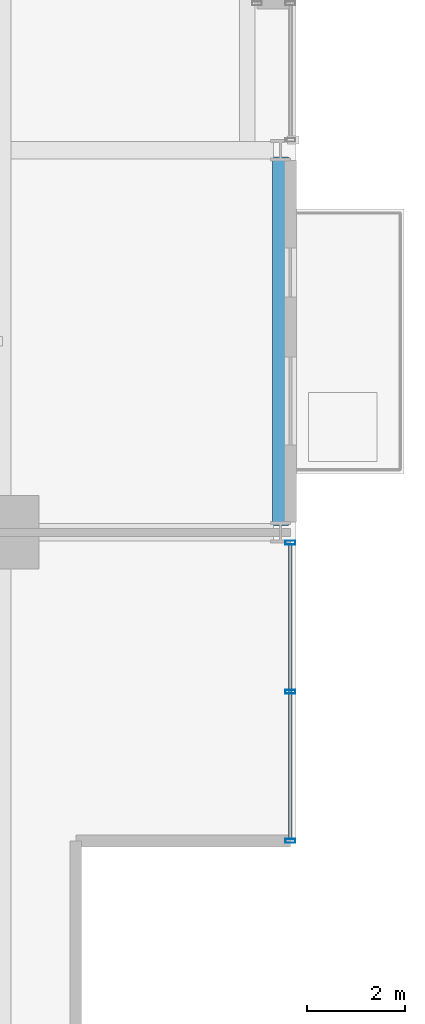
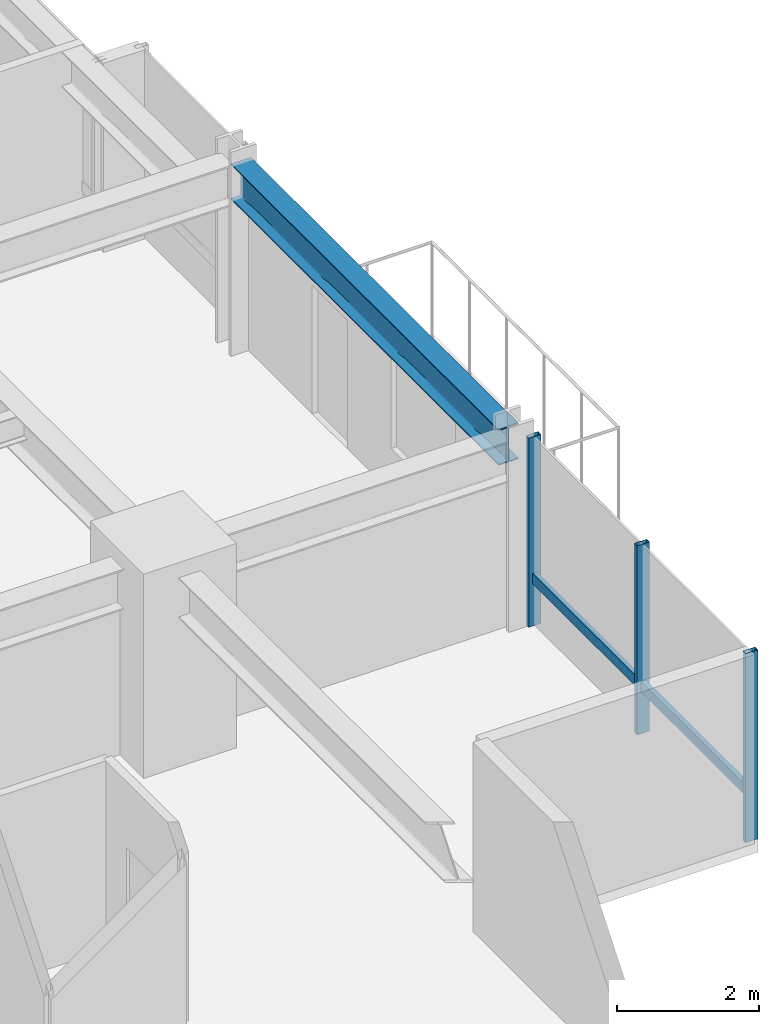
# One storey, part 13 of 34: 4 members, 1 beam, 1 element without a shape of its own.
"""IFC4 building model written with IfcOpenShell, lengths in metres."""

from ifc_helpers import new_model, si_unit, direction, frame, origin, origin_2d, place, context, subcontext, project, spatial, hollow_rectangle, i_section, extrude, material, layer, layer_set, material_profile, profile_set, type_object, element, aggregate, save


model = new_model("IFC4")

# Units and contexts
model_context = context("Model", 3, precision=1e-05, world=origin(), true_north=direction((0.0, 1.0)))
body_context = subcontext(model_context, "Body", "Model", "MODEL_VIEW")
ifc_project = project(units=[si_unit("LENGTHUNIT", "METRE"), si_unit("AREAUNIT", "SQUARE_METRE"), si_unit("VOLUMEUNIT", "CUBIC_METRE"), si_unit("PLANEANGLEUNIT", "RADIAN"), si_unit("MASSUNIT", "GRAM", prefix="KILO")], contexts=[model_context])

# Site, building, storey
site_placement = place(None, origin())
site = spatial("IfcSite", under=ifc_project, at=site_placement, CompositionType="ELEMENT")
building_placement = place(site_placement, origin())
building = spatial("IfcBuilding", under=site, at=building_placement, Name="Drelvath Grand Hotel", CompositionType="ELEMENT")
storey_placement = place(building_placement, frame((0.0, 0.0, 133.800048828125)))
storey = spatial("IfcBuildingStorey", under=building, at=storey_placement, Name="L34", CompositionType="ELEMENT", Elevation=133.800048828125)

# Curtain wall, members
ifc_material_1 = material(Name="Champagne Bronze Anodised Aluminium Frame", Category="aluminium")
ifc_layer = layer(ifc_material_1, 0.199951171875)
ifc_layer_set = layer_set([ifc_layer], Name="Champagne Bronze Anodised Aluminium Frame")
curtain_wall_type = type_object("IfcCurtainWallType", Name="Stick Curtain Wall CW-03 Champagne Bronze Mid-Rise", PredefinedType="NOTDEFINED", material=ifc_layer_set)
curtain_wall_placement = place(storey_placement, origin())
curtain_wall = element("IfcCurtainWall", 1, at=curtain_wall_placement, inside=storey, type_object=curtain_wall_type, Name="L34 CW-03 Curtain Wall CW03-L34-ES1", PredefinedType="NOTDEFINED")
ifc_material_profile_1 = material_profile(ifc_material_1, hollow_rectangle(XDim=0.074951171875, YDim=0.179931640625, WallThickness=0.0048828125, at=origin_2d()), Name="HSS180X75X5")
ifc_profile_set_1 = profile_set([ifc_material_profile_1], Name="Champagne Bronze Anodised Aluminium Frame")
member_type_1 = type_object("IfcMemberType", Name="Curtain Wall Horizontal Transom CW-03 HSS180X75X5", PredefinedType="USERDEFINED", material=ifc_profile_set_1)
member_1_placement = place(storey_placement, frame((22.080078125, 10.550537109375, 0.81005859375), z_axis=(0.0, -1.0, 0.0), x_axis=(1.0, 0.0, 0.0)))
member_1 = element("IfcMember", 2, at=member_1_placement, type_object=member_type_1, Name="CW03-L34-ES1 Sill Transom", ObjectType="TRANSOM", PredefinedType="USERDEFINED", context=body_context, shape_type="SweptSolid", body=[
    extrude(hollow_rectangle(XDim=0.074951171875, YDim=0.179931640625, WallThickness=0.0048828125, at=origin_2d()), origin(), (0.0, 0.0, 1.0), 6.010498046875),
])
ifc_material_profile_2 = material_profile(ifc_material_1, hollow_rectangle(XDim=0.080078125, YDim=0.199951171875, WallThickness=0.0048828125, at=origin_2d()), Name="HSS200X80X5")
ifc_profile_set_2 = profile_set([ifc_material_profile_2], Name="Champagne Bronze Anodised Aluminium Frame")
member_type_2 = type_object("IfcMemberType", Name="Curtain Wall Vertical Mullion CW-03 HSS200X80X5", PredefinedType="MULLION", material=ifc_profile_set_2)
member_2_placement = place(storey_placement, frame((22.080078125, 10.590576171875, 0.0), z_axis=(0.0, 0.0, 1.0), x_axis=(0.0, 1.0, 0.0)))
member_2 = element("IfcMember", 3, at=member_2_placement, type_object=member_type_2, Name="CW03-L34-ES1 Mullion 1", PredefinedType="MULLION", context=body_context, shape_type="SweptSolid", body=[
    extrude(hollow_rectangle(XDim=0.080078125, YDim=0.199951171875, WallThickness=0.0048828125, at=origin_2d()), origin(), (0.0, 0.0, 1.0), 3.239990234375),
])
member_3_placement = place(storey_placement, frame((22.080078125, 7.54541015625, 0.0), z_axis=(0.0, 0.0, 1.0), x_axis=(0.0, 1.0, 0.0)))
member_3 = element("IfcMember", 4, at=member_3_placement, type_object=member_type_2, Name="CW03-L34-ES1 Mullion 2", PredefinedType="MULLION", context=body_context, shape_type="SweptSolid", body=[
    extrude(hollow_rectangle(XDim=0.080078125, YDim=0.199951171875, WallThickness=0.0048828125, at=origin_2d()), origin(), (0.0, 0.0, 1.0), 3.239990234375),
])
member_4_placement = place(storey_placement, frame((22.080078125, 4.5, 0.0), z_axis=(0.0, 0.0, 1.0), x_axis=(0.0, 1.0, 0.0)))
member_4 = element("IfcMember", 5, at=member_4_placement, type_object=member_type_2, Name="CW03-L34-ES1 Mullion 3", PredefinedType="MULLION", context=body_context, shape_type="SweptSolid", body=[
    extrude(hollow_rectangle(XDim=0.080078125, YDim=0.199951171875, WallThickness=0.0048828125, at=origin_2d()), origin(), (0.0, 0.0, 1.0), 3.239990234375),
])
aggregate(curtain_wall, [member_2, member_3, member_4, member_1])

# Beam
ifc_material_2 = material(Name="Steel ASTM A992 Gr 50", Category="steel")
ifc_material_profile_3 = material_profile(ifc_material_2, i_section(OverallWidth=0.323974609375, OverallDepth=0.611083984375, WebThickness=0.0126953125, FlangeThickness=0.01904296875, FilletRadius=0.02197265625, at=origin_2d()), Name="W24X104")
ifc_profile_set_3 = profile_set([ifc_material_profile_3], Name="Steel ASTM A992 Gr 50")
beam_type = type_object("IfcBeamType", Name="Perimeter Spandrel Beam W24X104", PredefinedType="SPANDREL", material=ifc_profile_set_3)
beam_placement = place(storey_placement, frame((21.8798828125, 10.93994140625, 2.934326171875), z_axis=(0.0, 1.0, 0.0), x_axis=(-1.0, 0.0, 0.0)))
element("IfcBeam", 6, at=beam_placement, inside=storey, type_object=beam_type, Name="L34 Spandrel East S", PredefinedType="SPANDREL", context=body_context, shape_type="SweptSolid", body=[
    extrude(i_section(OverallWidth=0.323974609375, OverallDepth=0.611083984375, WebThickness=0.0126953125, FlangeThickness=0.01904296875, FilletRadius=0.02197265625, at=origin_2d()), origin(), (0.0, 0.0, 1.0), 7.52001953125),
])

save(model, "model.ifc")
